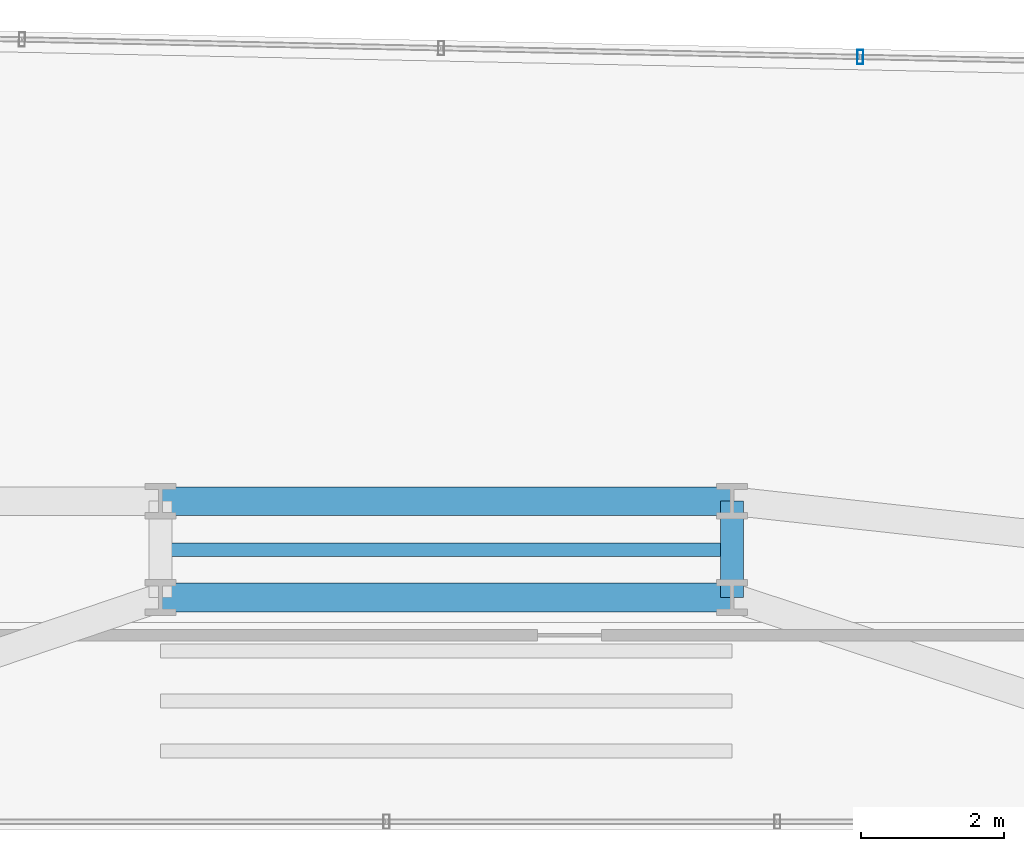
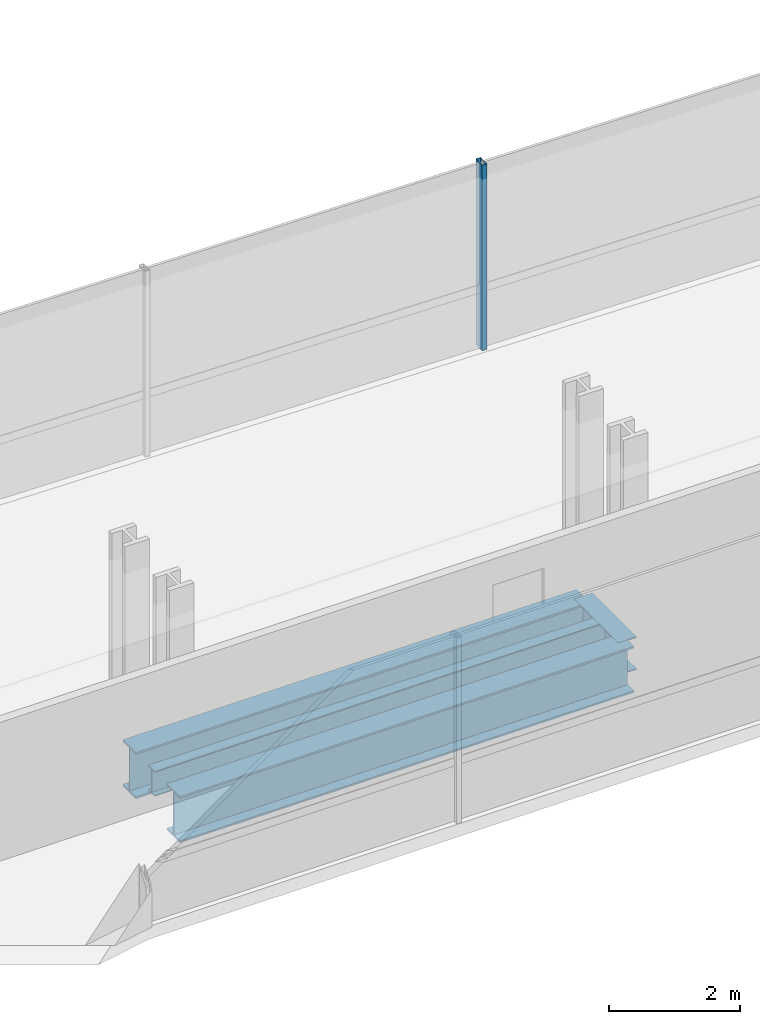
# One storey, part 20 of 39: 4 beams, 1 member, 1 element without a shape of its own.
"""IFC4 building model written with IfcOpenShell, lengths in metres."""

from ifc_helpers import new_model, si_unit, direction, frame, origin, origin_2d, place, context, subcontext, project, spatial, hollow_rectangle, i_section, extrude, source, transform, mapped, material, material_profile, profile_set, type_object, element, aggregate, save


model = new_model("IFC4")

# Units and contexts
model_context = context("Model", 3, precision=1e-05, world=origin(), true_north=direction((0.0, 1.0)))
body_context = subcontext(model_context, "Body", "Model", "MODEL_VIEW")
ifc_project = project(units=[si_unit("LENGTHUNIT", "METRE"), si_unit("AREAUNIT", "SQUARE_METRE"), si_unit("VOLUMEUNIT", "CUBIC_METRE"), si_unit("PLANEANGLEUNIT", "RADIAN"), si_unit("MASSUNIT", "GRAM", prefix="KILO")], contexts=[model_context])

# Site, building, storey
site_placement = place(None, origin())
site = spatial("IfcSite", under=ifc_project, at=site_placement, CompositionType="ELEMENT")
building_placement = place(site_placement, origin())
building = spatial("IfcBuilding", under=site, at=building_placement, Name="Valdorenza Pilgrim Sanctuary Tower", CompositionType="ELEMENT")
storey_placement = place(building_placement, frame((0.0, 0.0, 70.39990234375)))
storey = spatial("IfcBuildingStorey", under=building, at=storey_placement, Name="L17", CompositionType="ELEMENT", Elevation=70.39990234375)

# Beams
ifc_material_1 = material(Name="Steel ASTM A992 Grade 50", Category="steel")
ifc_material_profile_1 = material_profile(ifc_material_1, i_section(OverallWidth=0.39990234375, OverallDepth=0.862060546875, WebThickness=0.019775390625, FlangeThickness=0.032470703125, at=origin_2d()), Name="W33X221")
ifc_profile_set_1 = profile_set([ifc_material_profile_1], Name="Steel ASTM A992 Grade 50")
beam_type_1 = type_object("IfcBeamType", Name="STR-BM-GRD-W33", PredefinedType="BEAM", material=ifc_profile_set_1)
shared_shape_1 = source(origin(), body_context, "Body", "SweptSolid", [
    extrude(i_section(OverallWidth=0.39990234375, OverallDepth=0.862060546875, WebThickness=0.019775390625, FlangeThickness=0.032470703125, at=origin_2d()), origin(), (0.0, 0.0, 1.0), 8.0),
])
for number, where, z_axis, x_axis, name in (
    (1, (-4.0, 13.449951171875, -0.6708984375), (1.0, 0.0, 0.0), (0.0, 1.0, 0.0), "L17 Floor Girder KNK-G2"),
    (2, (-4.0, 14.800048828125, -0.6708984375), (1.0, 0.0, 0.0), (0.0, 1.0, 0.0), "L17 Floor Girder KNK-G5"),
):
    element("IfcBeam", number, at=place(storey_placement, frame(where, z_axis=z_axis, x_axis=x_axis)), inside=storey, type_object=beam_type_1, Name=name, PredefinedType="BEAM", context=body_context, shape_type="MappedRepresentation", body=[
        mapped(shared_shape_1, transform((0.0, 0.0, 0.0), x_axis=(1.0, 0.0, 0.0), y_axis=(0.0, 1.0, 0.0), z_axis=(0.0, 0.0, 1.0), scale=1.0)),
    ])
ifc_material_profile_2 = material_profile(ifc_material_1, i_section(OverallWidth=0.323974609375, OverallDepth=0.611083984375, WebThickness=0.0126953125, FlangeThickness=0.01904296875, at=origin_2d()), Name="W24X104")
ifc_profile_set_2 = profile_set([ifc_material_profile_2], Name="Steel ASTM A992 Grade 50")
beam_type_2 = type_object("IfcBeamType", Name="STR-BM-GRD-W24B", PredefinedType="BEAM", material=ifc_profile_set_2)
shared_shape_2 = source(origin(), body_context, "Body", "SweptSolid", [
    extrude(i_section(OverallWidth=0.323974609375, OverallDepth=0.611083984375, WebThickness=0.0126953125, FlangeThickness=0.01904296875, at=origin_2d()), origin(), (0.0, 0.0, 1.0), 1.35009765625),
])
beam_1_placement = place(storey_placement, frame((4.0, 13.449951171875, -0.54541015625), z_axis=(0.0, 1.0, 0.0), x_axis=(-1.0, 0.0, 0.0)))
element("IfcBeam", 3, at=beam_1_placement, inside=storey, type_object=beam_type_2, Name="L17 Floor Girder KNK-TIE-E", PredefinedType="BEAM", context=body_context, shape_type="MappedRepresentation", body=[
    mapped(shared_shape_2, transform((0.0, 0.0, 0.0), x_axis=(1.0, 0.0, 0.0), y_axis=(0.0, 1.0, 0.0), z_axis=(0.0, 0.0, 1.0), scale=1.0)),
])
ifc_material_profile_3 = material_profile(ifc_material_1, i_section(OverallWidth=0.193115234375, OverallDepth=0.466064453125, WebThickness=0.011474609375, FlangeThickness=0.01904296875, at=origin_2d()), Name="W18X65")
ifc_profile_set_3 = profile_set([ifc_material_profile_3], Name="Steel ASTM A992 Grade 50")
beam_type_3 = type_object("IfcBeamType", Name="STR-BM-JST-W18A", PredefinedType="JOIST", material=ifc_profile_set_3)
shared_shape_3 = source(origin(), body_context, "Body", "SweptSolid", [
    extrude(i_section(OverallWidth=0.193115234375, OverallDepth=0.466064453125, WebThickness=0.011474609375, FlangeThickness=0.01904296875, at=origin_2d()), origin(), (0.0, 0.0, 1.0), 8.0),
])
beam_2_placement = place(storey_placement, frame((-4.0, 14.1201171875, -0.472900390625), z_axis=(1.0, 0.0, 0.0), x_axis=(0.0, 1.0, 0.0)))
element("IfcBeam", 4, at=beam_2_placement, inside=storey, type_object=beam_type_3, Name="L17 Knuckle Composite Joist JST-KNK-4", PredefinedType="JOIST", context=body_context, shape_type="MappedRepresentation", body=[
    mapped(shared_shape_3, transform((0.0, 0.0, 0.0), x_axis=(1.0, 0.0, 0.0), y_axis=(0.0, 1.0, 0.0), z_axis=(0.0, 0.0, 1.0), scale=1.0)),
])

# Curtain wall, member
ifc_material_2 = material(Name="Curtain-wall IGU glazing", Category="glass")
curtain_wall_type = type_object("IfcCurtainWallType", Name="CW-SYS-02", PredefinedType="NOTDEFINED", material=ifc_material_2)
curtain_wall_placement = place(storey_placement, origin())
curtain_wall = element("IfcCurtainWall", 5, at=curtain_wall_placement, inside=storey, type_object=curtain_wall_type, Name="L17 Curtain Wall CW-L17-1-11", PredefinedType="NOTDEFINED")
ifc_material_3 = material(Name="Anodised aluminium AW-6060", Category="aluminium")
ifc_material_profile_4 = material_profile(ifc_material_3, hollow_rectangle(XDim=0.0849609375, YDim=0.199951171875, WallThickness=0.0048828125, at=origin_2d()), Name="ALU-M 200x85x5")
ifc_profile_set_4 = profile_set([ifc_material_profile_4], Name="Anodised aluminium AW-6060")
member_type = type_object("IfcMemberType", Name="CW-MUL-02", PredefinedType="MULLION", material=ifc_profile_set_4)
shared_shape_4 = source(origin(), body_context, "Body", "SweptSolid", [
    extrude(hollow_rectangle(XDim=0.0849609375, YDim=0.199951171875, WallThickness=0.0048828125, at=origin_2d()), origin(), (0.0, 0.0, 1.0), 3.460205078125),
])
member_placement = place(storey_placement, frame((5.797119140625, 21.019287109375, 0.0), z_axis=(0.0, 0.0, 1.0), x_axis=(0.999783234613, -0.020820273474, 0.0)))
member = element("IfcMember", 6, at=member_placement, type_object=member_type, Name="CW-L17-1-11 Mullion 4", PredefinedType="MULLION", context=body_context, shape_type="MappedRepresentation", body=[
    mapped(shared_shape_4, transform((0.0, 0.0, 0.0), x_axis=(1.0, 0.0, 0.0), y_axis=(0.0, 1.0, 0.0), z_axis=(0.0, 0.0, 1.0), scale=1.0)),
])
aggregate(curtain_wall, [member])

save(model, "model.ifc")
